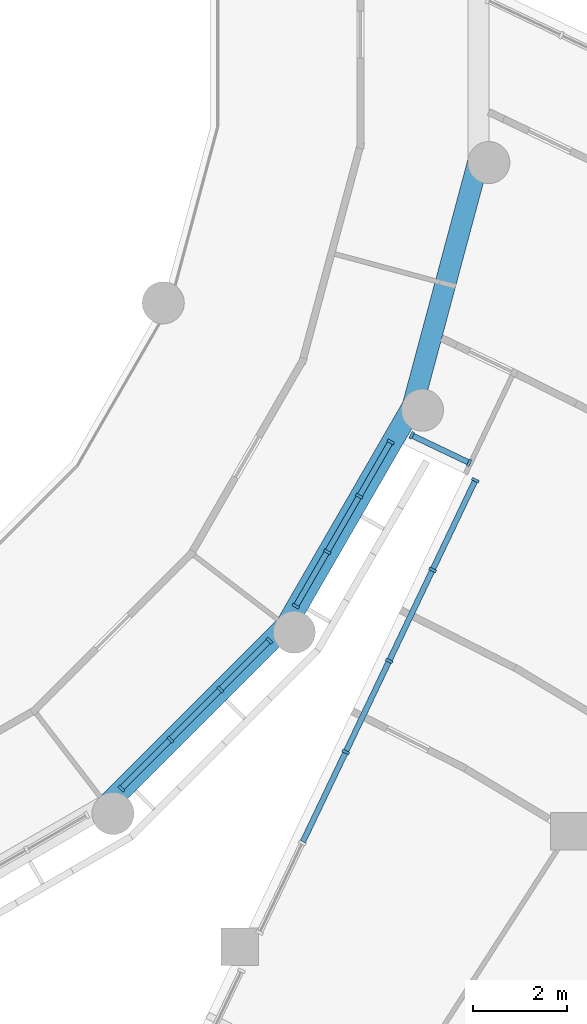
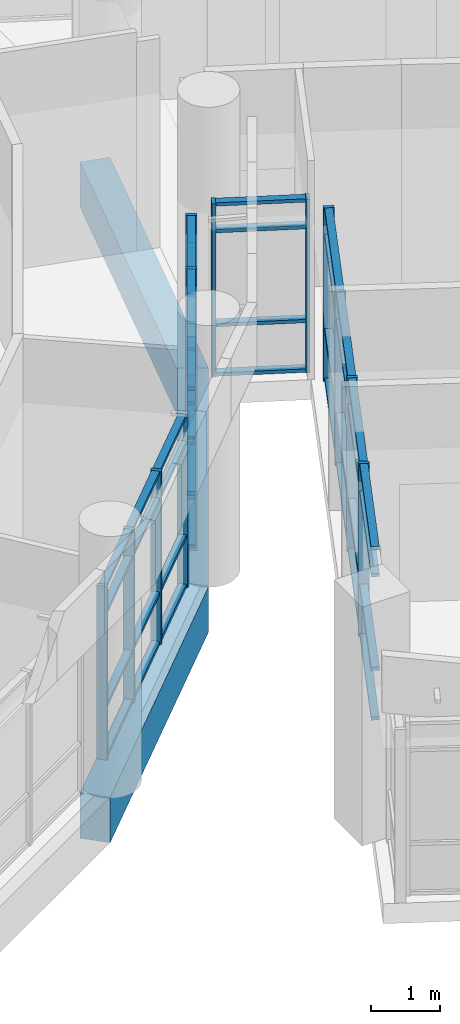
# One storey, part 14 of 109: 58 members, 3 beams, 4 elements without a shape of their own.
"""IFC4 building model written with IfcOpenShell, lengths in metres."""

from ifc_helpers import new_model, si_unit, direction, frame, origin, origin_2d, place, context, subcontext, project, spatial, rectangle, extrude, material, material_profile, profile_set, type_object, element, aggregate, save


model = new_model("IFC4")

# Units and contexts
model_context = context("Model", 3, precision=1e-05, world=origin(), true_north=direction((0.0, 1.0)))
body_context = subcontext(model_context, "Body", "Model", "MODEL_VIEW")
ifc_project = project(units=[si_unit("LENGTHUNIT", "METRE"), si_unit("AREAUNIT", "SQUARE_METRE"), si_unit("VOLUMEUNIT", "CUBIC_METRE"), si_unit("PLANEANGLEUNIT", "RADIAN"), si_unit("MASSUNIT", "GRAM", prefix="KILO")], contexts=[model_context])

# Site, building, storey
site_placement = place(None, origin())
site = spatial("IfcSite", under=ifc_project, at=site_placement, CompositionType="ELEMENT")
building_placement = place(site_placement, origin())
building = spatial("IfcBuilding", under=site, at=building_placement, Name="Bougainvillea Quay General Hospital", CompositionType="ELEMENT")
storey_placement = place(building_placement, frame((0.0, 0.0, 12.60009765625)))
storey = spatial("IfcBuildingStorey", under=building, at=storey_placement, Name="L02", CompositionType="ELEMENT", Elevation=12.60009765625)

# Curtain wall, members
ifc_material_1 = material(Name="Aluminium curtain wall system, powder-coated glazed", Category="aluminium")
curtain_wall_type_1 = type_object("IfcCurtainWallType", Name="Unitised curtain wall CW-1422", PredefinedType="NOTDEFINED", material=ifc_material_1)
curtain_wall_1_placement = place(storey_placement, origin())
curtain_wall_1 = element("IfcCurtainWall", 1, at=curtain_wall_1_placement, inside=storey, type_object=curtain_wall_type_1, Name="CW-AE 00", PredefinedType="NOTDEFINED")
ifc_material_2 = material(Name="Aluminium mullion, powder-coated charcoal", Category="aluminium")
ifc_material_profile_1 = material_profile(ifc_material_2, rectangle(XDim=0.159912109375, YDim=0.06005859375, at=origin_2d()))
ifc_profile_set_1 = profile_set([ifc_material_profile_1], Name="Aluminium mullion, powder-coated charcoal")
member_type_1 = type_object("IfcMemberType", Name="Curtain wall mullion 160x60", PredefinedType="MULLION", material=ifc_profile_set_1)
member_1_placement = place(storey_placement, frame((128.371826171875, 65.4267578125, 0.0), z_axis=(0.0, 0.0, 1.0), x_axis=(0.430534245195, 0.902574242771, 0.0)))
member_1 = element("IfcMember", 2, at=member_1_placement, type_object=member_type_1, Name="CW-AE mullion 1", PredefinedType="MULLION", context=body_context, shape_type="SweptSolid", body=[
    extrude(rectangle(XDim=0.159912109375, YDim=0.06005859375, at=origin_2d()), origin(), (0.0, 0.0, 1.0), 3.0498046875),
])
member_2_placement = place(storey_placement, frame((129.6005859375, 64.840576171875, 0.0), z_axis=(0.0, 0.0, 1.0), x_axis=(0.430534245195, 0.902574242771, 0.0)))
member_2 = element("IfcMember", 3, at=member_2_placement, type_object=member_type_1, Name="CW-AE mullion 2", PredefinedType="MULLION", context=body_context, shape_type="SweptSolid", body=[
    extrude(rectangle(XDim=0.159912109375, YDim=0.06005859375, at=origin_2d()), origin(), (0.0, 0.0, 1.0), 3.0498046875),
])

curtain_wall_type_2 = type_object("IfcCurtainWallType", Name="Unitised curtain wall CW-2157", PredefinedType="NOTDEFINED", material=ifc_material_1)
curtain_wall_2_placement = place(storey_placement, origin())
curtain_wall_2 = element("IfcCurtainWall", 4, at=curtain_wall_2_placement, inside=storey, type_object=curtain_wall_type_2, Name="CW-AE 00", PredefinedType="NOTDEFINED")
member_3_placement = place(storey_placement, frame((129.732666015625, 64.46728515625, 0.0), z_axis=(0.0, 0.0, 1.0), x_axis=(0.902576055431, -0.430530445105, 0.0)))
member_3 = element("IfcMember", 5, at=member_3_placement, type_object=member_type_1, Name="CW-AE mullion 1", PredefinedType="MULLION", context=body_context, shape_type="SweptSolid", body=[
    extrude(rectangle(XDim=0.159912109375, YDim=0.06005859375, at=origin_2d()), origin(), (0.0, 0.0, 1.0), 3.0498046875),
])
member_4_placement = place(storey_placement, frame((128.8173828125, 62.54833984375, 0.0), z_axis=(0.0, 0.0, 1.0), x_axis=(0.902576055431, -0.430530445105, 0.0)))
member_4 = element("IfcMember", 6, at=member_4_placement, type_object=member_type_1, Name="CW-AE mullion 2", PredefinedType="MULLION", context=body_context, shape_type="SweptSolid", body=[
    extrude(rectangle(XDim=0.159912109375, YDim=0.06005859375, at=origin_2d()), origin(), (0.0, 0.0, 1.0), 3.0498046875),
])
member_5_placement = place(storey_placement, frame((127.88916015625, 60.602294921875, 0.0), z_axis=(0.0, 0.0, 1.0), x_axis=(0.902576055431, -0.430530445105, 0.0)))
member_5 = element("IfcMember", 7, at=member_5_placement, type_object=member_type_1, Name="CW-AE mullion 3", PredefinedType="MULLION", context=body_context, shape_type="SweptSolid", body=[
    extrude(rectangle(XDim=0.159912109375, YDim=0.06005859375, at=origin_2d()), origin(), (0.0, 0.0, 1.0), 3.0498046875),
])
member_6_placement = place(storey_placement, frame((126.9609375, 58.656494140625, 0.0), z_axis=(0.0, 0.0, 1.0), x_axis=(0.902576055431, -0.430530445105, 0.0)))
member_6 = element("IfcMember", 8, at=member_6_placement, type_object=member_type_1, Name="CW-AE mullion 4", PredefinedType="MULLION", context=body_context, shape_type="SweptSolid", body=[
    extrude(rectangle(XDim=0.159912109375, YDim=0.06005859375, at=origin_2d()), origin(), (0.0, 0.0, 1.0), 3.0498046875),
])

curtain_wall_type_3 = type_object("IfcCurtainWallType", Name="Unitised curtain wall CW-1514", PredefinedType="NOTDEFINED", material=ifc_material_1)
curtain_wall_3_placement = place(storey_placement, origin())
curtain_wall_3 = element("IfcCurtainWall", 9, at=curtain_wall_3_placement, inside=storey, type_object=curtain_wall_type_3, Name="CW-D 00", PredefinedType="NOTDEFINED")
member_7_placement = place(storey_placement, frame((122.160888671875, 57.870361328125, 0.0), z_axis=(0.0, 0.0, 1.0), x_axis=(-0.707106781187, 0.707106781187, 0.0)))
member_7 = element("IfcMember", 10, at=member_7_placement, type_object=member_type_1, Name="CW-D mullion 1", PredefinedType="MULLION", context=body_context, shape_type="SweptSolid", body=[
    extrude(rectangle(XDim=0.159912109375, YDim=0.06005859375, at=origin_2d()), origin(), (0.0, 0.0, 1.0), 3.0498046875),
])
member_8_placement = place(storey_placement, frame((123.2099609375, 58.919677734375, 0.0), z_axis=(0.0, 0.0, 1.0), x_axis=(-0.707106781187, 0.707106781187, 0.0)))
member_8 = element("IfcMember", 11, at=member_8_placement, type_object=member_type_1, Name="CW-D mullion 2", PredefinedType="MULLION", context=body_context, shape_type="SweptSolid", body=[
    extrude(rectangle(XDim=0.159912109375, YDim=0.06005859375, at=origin_2d()), origin(), (0.0, 0.0, 1.0), 3.0498046875),
])
member_9_placement = place(storey_placement, frame((124.280517578125, 59.989990234375, 0.0), z_axis=(0.0, 0.0, 1.0), x_axis=(-0.707106781187, 0.707106781187, 0.0)))
member_9 = element("IfcMember", 12, at=member_9_placement, type_object=member_type_1, Name="CW-D mullion 3", PredefinedType="MULLION", context=body_context, shape_type="SweptSolid", body=[
    extrude(rectangle(XDim=0.159912109375, YDim=0.06005859375, at=origin_2d()), origin(), (0.0, 0.0, 1.0), 3.0498046875),
])
member_10_placement = place(storey_placement, frame((125.32958984375, 61.039306640625, 0.0), z_axis=(0.0, 0.0, 1.0), x_axis=(-0.707106781187, 0.707106781187, 0.0)))
member_10 = element("IfcMember", 13, at=member_10_placement, type_object=member_type_1, Name="CW-D mullion 4", PredefinedType="MULLION", context=body_context, shape_type="SweptSolid", body=[
    extrude(rectangle(XDim=0.159912109375, YDim=0.06005859375, at=origin_2d()), origin(), (0.0, 0.0, 1.0), 3.0498046875),
])

curtain_wall_type_4 = type_object("IfcCurtainWallType", Name="Unitised curtain wall CW-1373", PredefinedType="NOTDEFINED", material=ifc_material_1)
curtain_wall_4_placement = place(storey_placement, origin())
curtain_wall_4 = element("IfcCurtainWall", 14, at=curtain_wall_4_placement, inside=storey, type_object=curtain_wall_type_4, Name="CW-D 00", PredefinedType="NOTDEFINED")
member_11_placement = place(storey_placement, frame((125.8935546875, 61.77392578125, 0.0), z_axis=(0.0, 0.0, 1.0), x_axis=(-0.866047615473, 0.499961526253, 0.0)))
member_11 = element("IfcMember", 15, at=member_11_placement, type_object=member_type_1, Name="CW-D mullion 1", PredefinedType="MULLION", context=body_context, shape_type="SweptSolid", body=[
    extrude(rectangle(XDim=0.159912109375, YDim=0.06005859375, at=origin_2d()), origin(), (0.0, 0.0, 1.0), 3.0498046875),
])
member_12_placement = place(storey_placement, frame((126.564453125, 62.936279296875, 0.0), z_axis=(0.0, 0.0, 1.0), x_axis=(-0.866047615473, 0.499961526253, 0.0)))
member_12 = element("IfcMember", 16, at=member_12_placement, type_object=member_type_1, Name="CW-D mullion 2", PredefinedType="MULLION", context=body_context, shape_type="SweptSolid", body=[
    extrude(rectangle(XDim=0.159912109375, YDim=0.06005859375, at=origin_2d()), origin(), (0.0, 0.0, 1.0), 3.0498046875),
])
member_13_placement = place(storey_placement, frame((127.25048828125, 64.124755859375, 0.0), z_axis=(0.0, 0.0, 1.0), x_axis=(-0.866047615473, 0.499961526253, 0.0)))
member_13 = element("IfcMember", 17, at=member_13_placement, type_object=member_type_1, Name="CW-D mullion 3", PredefinedType="MULLION", context=body_context, shape_type="SweptSolid", body=[
    extrude(rectangle(XDim=0.159912109375, YDim=0.06005859375, at=origin_2d()), origin(), (0.0, 0.0, 1.0), 3.0498046875),
])
member_14_placement = place(storey_placement, frame((127.92138671875, 65.287109375, 0.0), z_axis=(0.0, 0.0, 1.0), x_axis=(-0.866047615473, 0.499961526253, 0.0)))
member_14 = element("IfcMember", 18, at=member_14_placement, type_object=member_type_1, Name="CW-D mullion 4", PredefinedType="MULLION", context=body_context, shape_type="SweptSolid", body=[
    extrude(rectangle(XDim=0.159912109375, YDim=0.06005859375, at=origin_2d()), origin(), (0.0, 0.0, 1.0), 3.0498046875),
])

# Member
ifc_material_3 = material(Name="Aluminium transom, powder-coated charcoal", Category="aluminium")
ifc_material_profile_2 = material_profile(ifc_material_3, rectangle(XDim=0.1201171875, YDim=0.06005859375, at=origin_2d()))
ifc_profile_set_2 = profile_set([ifc_material_profile_2], Name="Aluminium transom, powder-coated charcoal")
member_type_2 = type_object("IfcMemberType", Name="Curtain wall transom 120x60", PredefinedType="USERDEFINED", material=ifc_profile_set_2)
member_15_placement = place(storey_placement, frame((128.398681640625, 65.413818359375, 0.02978515625), z_axis=(0.902600317452, -0.430479577837, 0.0), x_axis=(0.430479577837, 0.902600317452, 0.0)))
member_15 = element("IfcMember", 19, at=member_15_placement, type_object=member_type_2, Name="CW-AE transom 1.1", ObjectType="TRANSOM", PredefinedType="USERDEFINED", context=body_context, shape_type="SweptSolid", body=[
    extrude(rectangle(XDim=0.1201171875, YDim=0.06005859375, at=origin_2d()), origin(), (0.0, 0.0, 1.0), 1.301513671875),
])

member_16_placement = place(storey_placement, frame((128.398681640625, 65.413818359375, 0.89990234375), z_axis=(0.902600317452, -0.430479577837, 0.0), x_axis=(0.430479577837, 0.902600317452, 0.0)))
member_16 = element("IfcMember", 20, at=member_16_placement, type_object=member_type_2, Name="CW-AE transom 1.2", ObjectType="TRANSOM", PredefinedType="USERDEFINED", context=body_context, shape_type="SweptSolid", body=[
    extrude(rectangle(XDim=0.1201171875, YDim=0.06005859375, at=origin_2d()), origin(), (0.0, 0.0, 1.0), 1.301513671875),
])

member_17_placement = place(storey_placement, frame((128.398681640625, 65.413818359375, 2.5498046875), z_axis=(0.902600317452, -0.430479577837, 0.0), x_axis=(0.430479577837, 0.902600317452, 0.0)))
member_17 = element("IfcMember", 21, at=member_17_placement, type_object=member_type_2, Name="CW-AE transom 1.3", ObjectType="TRANSOM", PredefinedType="USERDEFINED", context=body_context, shape_type="SweptSolid", body=[
    extrude(rectangle(XDim=0.1201171875, YDim=0.06005859375, at=origin_2d()), origin(), (0.0, 0.0, 1.0), 1.301513671875),
])

member_18_placement = place(storey_placement, frame((128.398681640625, 65.413818359375, 3.02001953125), z_axis=(0.902600317452, -0.430479577837, 0.0), x_axis=(0.430479577837, 0.902600317452, 0.0)))
member_18 = element("IfcMember", 22, at=member_18_placement, type_object=member_type_2, Name="CW-AE transom 1.4", ObjectType="TRANSOM", PredefinedType="USERDEFINED", context=body_context, shape_type="SweptSolid", body=[
    extrude(rectangle(XDim=0.1201171875, YDim=0.06005859375, at=origin_2d()), origin(), (0.0, 0.0, 1.0), 1.301513671875),
])

aggregate(curtain_wall_1, [member_1, member_2, member_15, member_16, member_17, member_18])

member_19_placement = place(storey_placement, frame((129.7197265625, 64.440185546875, 0.02978515625), z_axis=(-0.430497703886, -0.902591672324, 0.0), x_axis=(0.902591672324, -0.430497703886, 0.0)))
member_19 = element("IfcMember", 23, at=member_19_placement, type_object=member_type_2, Name="CW-AE transom 1.1", ObjectType="TRANSOM", PredefinedType="USERDEFINED", context=body_context, shape_type="SweptSolid", body=[
    extrude(rectangle(XDim=0.1201171875, YDim=0.06005859375, at=origin_2d()), origin(), (0.0, 0.0, 1.0), 2.06591796875),
])

member_20_placement = place(storey_placement, frame((129.7197265625, 64.440185546875, 0.89990234375), z_axis=(-0.430497703886, -0.902591672324, 0.0), x_axis=(0.902591672324, -0.430497703886, 0.0)))
member_20 = element("IfcMember", 24, at=member_20_placement, type_object=member_type_2, Name="CW-AE transom 1.2", ObjectType="TRANSOM", PredefinedType="USERDEFINED", context=body_context, shape_type="SweptSolid", body=[
    extrude(rectangle(XDim=0.1201171875, YDim=0.06005859375, at=origin_2d()), origin(), (0.0, 0.0, 1.0), 2.06591796875),
])

member_21_placement = place(storey_placement, frame((129.7197265625, 64.440185546875, 2.5498046875), z_axis=(-0.430497703886, -0.902591672324, 0.0), x_axis=(0.902591672324, -0.430497703886, 0.0)))
member_21 = element("IfcMember", 25, at=member_21_placement, type_object=member_type_2, Name="CW-AE transom 1.3", ObjectType="TRANSOM", PredefinedType="USERDEFINED", context=body_context, shape_type="SweptSolid", body=[
    extrude(rectangle(XDim=0.1201171875, YDim=0.06005859375, at=origin_2d()), origin(), (0.0, 0.0, 1.0), 2.06591796875),
])

member_22_placement = place(storey_placement, frame((129.7197265625, 64.440185546875, 3.02001953125), z_axis=(-0.430497703886, -0.902591672324, 0.0), x_axis=(0.902591672324, -0.430497703886, 0.0)))
member_22 = element("IfcMember", 26, at=member_22_placement, type_object=member_type_2, Name="CW-AE transom 1.4", ObjectType="TRANSOM", PredefinedType="USERDEFINED", context=body_context, shape_type="SweptSolid", body=[
    extrude(rectangle(XDim=0.1201171875, YDim=0.06005859375, at=origin_2d()), origin(), (0.0, 0.0, 1.0), 2.06591796875),
])

member_23_placement = place(storey_placement, frame((128.804443359375, 62.521240234375, 0.02978515625), z_axis=(-0.430503182684, -0.902589059151, 0.0), x_axis=(0.902589059151, -0.430503182684, 0.0)))
member_23 = element("IfcMember", 27, at=member_23_placement, type_object=member_type_2, Name="CW-AE transom 2.1", ObjectType="TRANSOM", PredefinedType="USERDEFINED", context=body_context, shape_type="SweptSolid", body=[
    extrude(rectangle(XDim=0.1201171875, YDim=0.06005859375, at=origin_2d()), origin(), (0.0, 0.0, 1.0), 2.095947265625),
])

member_24_placement = place(storey_placement, frame((128.804443359375, 62.521240234375, 0.89990234375), z_axis=(-0.430503182684, -0.902589059151, 0.0), x_axis=(0.902589059151, -0.430503182684, 0.0)))
member_24 = element("IfcMember", 28, at=member_24_placement, type_object=member_type_2, Name="CW-AE transom 2.2", ObjectType="TRANSOM", PredefinedType="USERDEFINED", context=body_context, shape_type="SweptSolid", body=[
    extrude(rectangle(XDim=0.1201171875, YDim=0.06005859375, at=origin_2d()), origin(), (0.0, 0.0, 1.0), 2.095947265625),
])

member_25_placement = place(storey_placement, frame((128.804443359375, 62.521240234375, 2.5498046875), z_axis=(-0.430503182684, -0.902589059151, 0.0), x_axis=(0.902589059151, -0.430503182684, 0.0)))
member_25 = element("IfcMember", 29, at=member_25_placement, type_object=member_type_2, Name="CW-AE transom 2.3", ObjectType="TRANSOM", PredefinedType="USERDEFINED", context=body_context, shape_type="SweptSolid", body=[
    extrude(rectangle(XDim=0.1201171875, YDim=0.06005859375, at=origin_2d()), origin(), (0.0, 0.0, 1.0), 2.095947265625),
])

member_26_placement = place(storey_placement, frame((128.804443359375, 62.521240234375, 3.02001953125), z_axis=(-0.430503182684, -0.902589059151, 0.0), x_axis=(0.902589059151, -0.430503182684, 0.0)))
member_26 = element("IfcMember", 30, at=member_26_placement, type_object=member_type_2, Name="CW-AE transom 2.4", ObjectType="TRANSOM", PredefinedType="USERDEFINED", context=body_context, shape_type="SweptSolid", body=[
    extrude(rectangle(XDim=0.1201171875, YDim=0.06005859375, at=origin_2d()), origin(), (0.0, 0.0, 1.0), 2.095947265625),
])

member_27_placement = place(storey_placement, frame((127.876220703125, 60.575439453125, 0.02978515625), z_axis=(-0.430503182684, -0.902589059151, 0.0), x_axis=(0.902589059151, -0.430503182684, 0.0)))
member_27 = element("IfcMember", 31, at=member_27_placement, type_object=member_type_2, Name="CW-AE transom 3.1", ObjectType="TRANSOM", PredefinedType="USERDEFINED", context=body_context, shape_type="SweptSolid", body=[
    extrude(rectangle(XDim=0.1201171875, YDim=0.06005859375, at=origin_2d()), origin(), (0.0, 0.0, 1.0), 2.095947265625),
])

member_28_placement = place(storey_placement, frame((127.876220703125, 60.575439453125, 0.89990234375), z_axis=(-0.430503182684, -0.902589059151, 0.0), x_axis=(0.902589059151, -0.430503182684, 0.0)))
member_28 = element("IfcMember", 32, at=member_28_placement, type_object=member_type_2, Name="CW-AE transom 3.2", ObjectType="TRANSOM", PredefinedType="USERDEFINED", context=body_context, shape_type="SweptSolid", body=[
    extrude(rectangle(XDim=0.1201171875, YDim=0.06005859375, at=origin_2d()), origin(), (0.0, 0.0, 1.0), 2.095947265625),
])

member_29_placement = place(storey_placement, frame((127.876220703125, 60.575439453125, 2.5498046875), z_axis=(-0.430503182684, -0.902589059151, 0.0), x_axis=(0.902589059151, -0.430503182684, 0.0)))
member_29 = element("IfcMember", 33, at=member_29_placement, type_object=member_type_2, Name="CW-AE transom 3.3", ObjectType="TRANSOM", PredefinedType="USERDEFINED", context=body_context, shape_type="SweptSolid", body=[
    extrude(rectangle(XDim=0.1201171875, YDim=0.06005859375, at=origin_2d()), origin(), (0.0, 0.0, 1.0), 2.095947265625),
])

member_30_placement = place(storey_placement, frame((127.876220703125, 60.575439453125, 3.02001953125), z_axis=(-0.430503182684, -0.902589059151, 0.0), x_axis=(0.902589059151, -0.430503182684, 0.0)))
member_30 = element("IfcMember", 34, at=member_30_placement, type_object=member_type_2, Name="CW-AE transom 3.4", ObjectType="TRANSOM", PredefinedType="USERDEFINED", context=body_context, shape_type="SweptSolid", body=[
    extrude(rectangle(XDim=0.1201171875, YDim=0.06005859375, at=origin_2d()), origin(), (0.0, 0.0, 1.0), 2.095947265625),
])

member_31_placement = place(storey_placement, frame((126.947998046875, 58.62939453125, 0.02978515625), z_axis=(-0.430503182684, -0.902589059151, 0.0), x_axis=(0.902589059151, -0.430503182684, 0.0)))
member_31 = element("IfcMember", 35, at=member_31_placement, type_object=member_type_2, Name="CW-AE transom 4.1", ObjectType="TRANSOM", PredefinedType="USERDEFINED", context=body_context, shape_type="SweptSolid", body=[
    extrude(rectangle(XDim=0.1201171875, YDim=0.06005859375, at=origin_2d()), origin(), (0.0, 0.0, 1.0), 2.095947265625),
])

member_32_placement = place(storey_placement, frame((126.947998046875, 58.62939453125, 0.89990234375), z_axis=(-0.430503182684, -0.902589059151, 0.0), x_axis=(0.902589059151, -0.430503182684, 0.0)))
member_32 = element("IfcMember", 36, at=member_32_placement, type_object=member_type_2, Name="CW-AE transom 4.2", ObjectType="TRANSOM", PredefinedType="USERDEFINED", context=body_context, shape_type="SweptSolid", body=[
    extrude(rectangle(XDim=0.1201171875, YDim=0.06005859375, at=origin_2d()), origin(), (0.0, 0.0, 1.0), 2.095947265625),
])

member_33_placement = place(storey_placement, frame((126.947998046875, 58.62939453125, 2.5498046875), z_axis=(-0.430503182684, -0.902589059151, 0.0), x_axis=(0.902589059151, -0.430503182684, 0.0)))
member_33 = element("IfcMember", 37, at=member_33_placement, type_object=member_type_2, Name="CW-AE transom 4.3", ObjectType="TRANSOM", PredefinedType="USERDEFINED", context=body_context, shape_type="SweptSolid", body=[
    extrude(rectangle(XDim=0.1201171875, YDim=0.06005859375, at=origin_2d()), origin(), (0.0, 0.0, 1.0), 2.095947265625),
])

member_34_placement = place(storey_placement, frame((126.947998046875, 58.62939453125, 3.02001953125), z_axis=(-0.430503182684, -0.902589059151, 0.0), x_axis=(0.902589059151, -0.430503182684, 0.0)))
member_34 = element("IfcMember", 38, at=member_34_placement, type_object=member_type_2, Name="CW-AE transom 4.4", ObjectType="TRANSOM", PredefinedType="USERDEFINED", context=body_context, shape_type="SweptSolid", body=[
    extrude(rectangle(XDim=0.1201171875, YDim=0.06005859375, at=origin_2d()), origin(), (0.0, 0.0, 1.0), 2.095947265625),
])

aggregate(curtain_wall_2, [member_3, member_4, member_5, member_6, member_19, member_20, member_21, member_22, member_23, member_24, member_25, member_26, member_27, member_28, member_29, member_30, member_31, member_32, member_33, member_34])

member_35_placement = place(storey_placement, frame((122.181884765625, 57.8916015625, 0.02978515625), z_axis=(0.707106781187, 0.707106781187, 0.0), x_axis=(-0.707106781187, 0.707106781187, 0.0)))
member_35 = element("IfcMember", 39, at=member_35_placement, type_object=member_type_2, Name="CW-D transom 1.1", ObjectType="TRANSOM", PredefinedType="USERDEFINED", context=body_context, shape_type="SweptSolid", body=[
    extrude(rectangle(XDim=0.1201171875, YDim=0.06005859375, at=origin_2d()), origin(), (0.0, 0.0, 1.0), 1.423828125),
])

member_36_placement = place(storey_placement, frame((122.181884765625, 57.8916015625, 0.89990234375), z_axis=(0.707106781187, 0.707106781187, 0.0), x_axis=(-0.707106781187, 0.707106781187, 0.0)))
member_36 = element("IfcMember", 40, at=member_36_placement, type_object=member_type_2, Name="CW-D transom 1.2", ObjectType="TRANSOM", PredefinedType="USERDEFINED", context=body_context, shape_type="SweptSolid", body=[
    extrude(rectangle(XDim=0.1201171875, YDim=0.06005859375, at=origin_2d()), origin(), (0.0, 0.0, 1.0), 1.423828125),
])

member_37_placement = place(storey_placement, frame((122.181884765625, 57.8916015625, 2.5498046875), z_axis=(0.707106781187, 0.707106781187, 0.0), x_axis=(-0.707106781187, 0.707106781187, 0.0)))
member_37 = element("IfcMember", 41, at=member_37_placement, type_object=member_type_2, Name="CW-D transom 1.3", ObjectType="TRANSOM", PredefinedType="USERDEFINED", context=body_context, shape_type="SweptSolid", body=[
    extrude(rectangle(XDim=0.1201171875, YDim=0.06005859375, at=origin_2d()), origin(), (0.0, 0.0, 1.0), 1.423828125),
])

member_38_placement = place(storey_placement, frame((122.181884765625, 57.8916015625, 3.02001953125), z_axis=(0.707106781187, 0.707106781187, 0.0), x_axis=(-0.707106781187, 0.707106781187, 0.0)))
member_38 = element("IfcMember", 42, at=member_38_placement, type_object=member_type_2, Name="CW-D transom 1.4", ObjectType="TRANSOM", PredefinedType="USERDEFINED", context=body_context, shape_type="SweptSolid", body=[
    extrude(rectangle(XDim=0.1201171875, YDim=0.06005859375, at=origin_2d()), origin(), (0.0, 0.0, 1.0), 1.423828125),
])

member_39_placement = place(storey_placement, frame((123.231201171875, 58.940673828125, 0.02978515625), z_axis=(0.707106781187, 0.707106781187, 0.0), x_axis=(-0.707106781187, 0.707106781187, 0.0)))
member_39 = element("IfcMember", 43, at=member_39_placement, type_object=member_type_2, Name="CW-D transom 2.1", ObjectType="TRANSOM", PredefinedType="USERDEFINED", context=body_context, shape_type="SweptSolid", body=[
    extrude(rectangle(XDim=0.1201171875, YDim=0.06005859375, at=origin_2d()), origin(), (0.0, 0.0, 1.0), 1.453857421875),
])

member_40_placement = place(storey_placement, frame((123.231201171875, 58.940673828125, 0.89990234375), z_axis=(0.707106781187, 0.707106781187, 0.0), x_axis=(-0.707106781187, 0.707106781187, 0.0)))
member_40 = element("IfcMember", 44, at=member_40_placement, type_object=member_type_2, Name="CW-D transom 2.2", ObjectType="TRANSOM", PredefinedType="USERDEFINED", context=body_context, shape_type="SweptSolid", body=[
    extrude(rectangle(XDim=0.1201171875, YDim=0.06005859375, at=origin_2d()), origin(), (0.0, 0.0, 1.0), 1.453857421875),
])

member_41_placement = place(storey_placement, frame((123.231201171875, 58.940673828125, 2.5498046875), z_axis=(0.707106781187, 0.707106781187, 0.0), x_axis=(-0.707106781187, 0.707106781187, 0.0)))
member_41 = element("IfcMember", 45, at=member_41_placement, type_object=member_type_2, Name="CW-D transom 2.3", ObjectType="TRANSOM", PredefinedType="USERDEFINED", context=body_context, shape_type="SweptSolid", body=[
    extrude(rectangle(XDim=0.1201171875, YDim=0.06005859375, at=origin_2d()), origin(), (0.0, 0.0, 1.0), 1.453857421875),
])

member_42_placement = place(storey_placement, frame((123.231201171875, 58.940673828125, 3.02001953125), z_axis=(0.707106781187, 0.707106781187, 0.0), x_axis=(-0.707106781187, 0.707106781187, 0.0)))
member_42 = element("IfcMember", 46, at=member_42_placement, type_object=member_type_2, Name="CW-D transom 2.4", ObjectType="TRANSOM", PredefinedType="USERDEFINED", context=body_context, shape_type="SweptSolid", body=[
    extrude(rectangle(XDim=0.1201171875, YDim=0.06005859375, at=origin_2d()), origin(), (0.0, 0.0, 1.0), 1.453857421875),
])

member_43_placement = place(storey_placement, frame((124.3017578125, 60.01123046875, 0.02978515625), z_axis=(0.707021034897, 0.707192517079, 0.0), x_axis=(-0.707192517079, 0.707021034897, 0.0)))
member_43 = element("IfcMember", 47, at=member_43_placement, type_object=member_type_2, Name="CW-D transom 3.1", ObjectType="TRANSOM", PredefinedType="USERDEFINED", context=body_context, shape_type="SweptSolid", body=[
    extrude(rectangle(XDim=0.1201171875, YDim=0.06005859375, at=origin_2d()), origin(), (0.0, 0.0, 1.0), 1.423828125),
])

member_44_placement = place(storey_placement, frame((124.3017578125, 60.01123046875, 0.89990234375), z_axis=(0.707021034897, 0.707192517079, 0.0), x_axis=(-0.707192517079, 0.707021034897, 0.0)))
member_44 = element("IfcMember", 48, at=member_44_placement, type_object=member_type_2, Name="CW-D transom 3.2", ObjectType="TRANSOM", PredefinedType="USERDEFINED", context=body_context, shape_type="SweptSolid", body=[
    extrude(rectangle(XDim=0.1201171875, YDim=0.06005859375, at=origin_2d()), origin(), (0.0, 0.0, 1.0), 1.423828125),
])

member_45_placement = place(storey_placement, frame((124.3017578125, 60.01123046875, 2.5498046875), z_axis=(0.707021034897, 0.707192517079, 0.0), x_axis=(-0.707192517079, 0.707021034897, 0.0)))
member_45 = element("IfcMember", 49, at=member_45_placement, type_object=member_type_2, Name="CW-D transom 3.3", ObjectType="TRANSOM", PredefinedType="USERDEFINED", context=body_context, shape_type="SweptSolid", body=[
    extrude(rectangle(XDim=0.1201171875, YDim=0.06005859375, at=origin_2d()), origin(), (0.0, 0.0, 1.0), 1.423828125),
])

member_46_placement = place(storey_placement, frame((124.3017578125, 60.01123046875, 3.02001953125), z_axis=(0.707021034897, 0.707192517079, 0.0), x_axis=(-0.707192517079, 0.707021034897, 0.0)))
member_46 = element("IfcMember", 50, at=member_46_placement, type_object=member_type_2, Name="CW-D transom 3.4", ObjectType="TRANSOM", PredefinedType="USERDEFINED", context=body_context, shape_type="SweptSolid", body=[
    extrude(rectangle(XDim=0.1201171875, YDim=0.06005859375, at=origin_2d()), origin(), (0.0, 0.0, 1.0), 1.423828125),
])

aggregate(curtain_wall_3, [member_7, member_8, member_9, member_10, member_35, member_36, member_37, member_38, member_39, member_40, member_41, member_42, member_43, member_44, member_45, member_46])

member_47_placement = place(storey_placement, frame((125.908447265625, 61.800048828125, 0.02978515625), z_axis=(0.500030129425, 0.866008007854, 0.0), x_axis=(-0.866008007854, 0.500030129425, 0.0)))
member_47 = element("IfcMember", 51, at=member_47_placement, type_object=member_type_2, Name="CW-D transom 1.1", ObjectType="TRANSOM", PredefinedType="USERDEFINED", context=body_context, shape_type="SweptSolid", body=[
    extrude(rectangle(XDim=0.1201171875, YDim=0.06005859375, at=origin_2d()), origin(), (0.0, 0.0, 1.0), 1.2822265625),
])

member_48_placement = place(storey_placement, frame((125.908447265625, 61.800048828125, 0.89990234375), z_axis=(0.500030129425, 0.866008007854, 0.0), x_axis=(-0.866008007854, 0.500030129425, 0.0)))
member_48 = element("IfcMember", 52, at=member_48_placement, type_object=member_type_2, Name="CW-D transom 1.2", ObjectType="TRANSOM", PredefinedType="USERDEFINED", context=body_context, shape_type="SweptSolid", body=[
    extrude(rectangle(XDim=0.1201171875, YDim=0.06005859375, at=origin_2d()), origin(), (0.0, 0.0, 1.0), 1.2822265625),
])

member_49_placement = place(storey_placement, frame((125.908447265625, 61.800048828125, 2.5498046875), z_axis=(0.500030129425, 0.866008007854, 0.0), x_axis=(-0.866008007854, 0.500030129425, 0.0)))
member_49 = element("IfcMember", 53, at=member_49_placement, type_object=member_type_2, Name="CW-D transom 1.3", ObjectType="TRANSOM", PredefinedType="USERDEFINED", context=body_context, shape_type="SweptSolid", body=[
    extrude(rectangle(XDim=0.1201171875, YDim=0.06005859375, at=origin_2d()), origin(), (0.0, 0.0, 1.0), 1.2822265625),
])

member_50_placement = place(storey_placement, frame((125.908447265625, 61.800048828125, 3.02001953125), z_axis=(0.500030129425, 0.866008007854, 0.0), x_axis=(-0.866008007854, 0.500030129425, 0.0)))
member_50 = element("IfcMember", 54, at=member_50_placement, type_object=member_type_2, Name="CW-D transom 1.4", ObjectType="TRANSOM", PredefinedType="USERDEFINED", context=body_context, shape_type="SweptSolid", body=[
    extrude(rectangle(XDim=0.1201171875, YDim=0.06005859375, at=origin_2d()), origin(), (0.0, 0.0, 1.0), 1.2822265625),
])

member_51_placement = place(storey_placement, frame((126.57958984375, 62.96240234375, 0.02978515625), z_axis=(0.500001653409, 0.866024449186, 0.0), x_axis=(-0.866024449186, 0.500001653409, 0.0)))
member_51 = element("IfcMember", 55, at=member_51_placement, type_object=member_type_2, Name="CW-D transom 2.1", ObjectType="TRANSOM", PredefinedType="USERDEFINED", context=body_context, shape_type="SweptSolid", body=[
    extrude(rectangle(XDim=0.1201171875, YDim=0.06005859375, at=origin_2d()), origin(), (0.0, 0.0, 1.0), 1.31201171875),
])

member_52_placement = place(storey_placement, frame((126.57958984375, 62.96240234375, 0.89990234375), z_axis=(0.500001653409, 0.866024449186, 0.0), x_axis=(-0.866024449186, 0.500001653409, 0.0)))
member_52 = element("IfcMember", 56, at=member_52_placement, type_object=member_type_2, Name="CW-D transom 2.2", ObjectType="TRANSOM", PredefinedType="USERDEFINED", context=body_context, shape_type="SweptSolid", body=[
    extrude(rectangle(XDim=0.1201171875, YDim=0.06005859375, at=origin_2d()), origin(), (0.0, 0.0, 1.0), 1.31201171875),
])

member_53_placement = place(storey_placement, frame((126.57958984375, 62.96240234375, 2.5498046875), z_axis=(0.500001653409, 0.866024449186, 0.0), x_axis=(-0.866024449186, 0.500001653409, 0.0)))
member_53 = element("IfcMember", 57, at=member_53_placement, type_object=member_type_2, Name="CW-D transom 2.3", ObjectType="TRANSOM", PredefinedType="USERDEFINED", context=body_context, shape_type="SweptSolid", body=[
    extrude(rectangle(XDim=0.1201171875, YDim=0.06005859375, at=origin_2d()), origin(), (0.0, 0.0, 1.0), 1.31201171875),
])

member_54_placement = place(storey_placement, frame((126.57958984375, 62.96240234375, 3.02001953125), z_axis=(0.500001653409, 0.866024449186, 0.0), x_axis=(-0.866024449186, 0.500001653409, 0.0)))
member_54 = element("IfcMember", 58, at=member_54_placement, type_object=member_type_2, Name="CW-D transom 2.4", ObjectType="TRANSOM", PredefinedType="USERDEFINED", context=body_context, shape_type="SweptSolid", body=[
    extrude(rectangle(XDim=0.1201171875, YDim=0.06005859375, at=origin_2d()), origin(), (0.0, 0.0, 1.0), 1.31201171875),
])

member_55_placement = place(storey_placement, frame((127.265380859375, 64.150634765625, 0.02978515625), z_axis=(0.500030129425, 0.866008007854, 0.0), x_axis=(-0.866008007854, 0.500030129425, 0.0)))
member_55 = element("IfcMember", 59, at=member_55_placement, type_object=member_type_2, Name="CW-D transom 3.1", ObjectType="TRANSOM", PredefinedType="USERDEFINED", context=body_context, shape_type="SweptSolid", body=[
    extrude(rectangle(XDim=0.1201171875, YDim=0.06005859375, at=origin_2d()), origin(), (0.0, 0.0, 1.0), 1.2822265625),
])

member_56_placement = place(storey_placement, frame((127.265380859375, 64.150634765625, 0.89990234375), z_axis=(0.500030129425, 0.866008007854, 0.0), x_axis=(-0.866008007854, 0.500030129425, 0.0)))
member_56 = element("IfcMember", 60, at=member_56_placement, type_object=member_type_2, Name="CW-D transom 3.2", ObjectType="TRANSOM", PredefinedType="USERDEFINED", context=body_context, shape_type="SweptSolid", body=[
    extrude(rectangle(XDim=0.1201171875, YDim=0.06005859375, at=origin_2d()), origin(), (0.0, 0.0, 1.0), 1.2822265625),
])

member_57_placement = place(storey_placement, frame((127.265380859375, 64.150634765625, 2.5498046875), z_axis=(0.500030129425, 0.866008007854, 0.0), x_axis=(-0.866008007854, 0.500030129425, 0.0)))
member_57 = element("IfcMember", 61, at=member_57_placement, type_object=member_type_2, Name="CW-D transom 3.3", ObjectType="TRANSOM", PredefinedType="USERDEFINED", context=body_context, shape_type="SweptSolid", body=[
    extrude(rectangle(XDim=0.1201171875, YDim=0.06005859375, at=origin_2d()), origin(), (0.0, 0.0, 1.0), 1.2822265625),
])

member_58_placement = place(storey_placement, frame((127.265380859375, 64.150634765625, 3.02001953125), z_axis=(0.500030129425, 0.866008007854, 0.0), x_axis=(-0.866008007854, 0.500030129425, 0.0)))
member_58 = element("IfcMember", 62, at=member_58_placement, type_object=member_type_2, Name="CW-D transom 3.4", ObjectType="TRANSOM", PredefinedType="USERDEFINED", context=body_context, shape_type="SweptSolid", body=[
    extrude(rectangle(XDim=0.1201171875, YDim=0.06005859375, at=origin_2d()), origin(), (0.0, 0.0, 1.0), 1.2822265625),
])

aggregate(curtain_wall_4, [member_11, member_12, member_13, member_14, member_47, member_48, member_49, member_50, member_51, member_52, member_53, member_54, member_55, member_56, member_57, member_58])

# Beams
ifc_material_4 = material(Name="Concrete C40", Category="concrete")
ifc_material_profile_3 = material_profile(ifc_material_4, rectangle(XDim=0.449951171875, YDim=0.800048828125, at=origin_2d()))
ifc_profile_set_3 = profile_set([ifc_material_profile_3], Name="Concrete C40")
beam_type = type_object("IfcBeamType", Name="RC BEAM 450x800 C40", PredefinedType="BEAM", material=ifc_profile_set_3)
beam_1_placement = place(storey_placement, frame((121.824951171875, 57.4990234375, -0.7001953125), z_axis=(0.707106781187, 0.707106781187, 0.0), x_axis=(-0.707106781187, 0.707106781187, 0.0)))
element("IfcBeam", 63, at=beam_1_placement, inside=storey, type_object=beam_type, Name="Edge beam L02", PredefinedType="BEAM", context=body_context, shape_type="SweptSolid", body=[
    extrude(rectangle(XDim=0.449951171875, YDim=0.800048828125, at=origin_2d()), origin(), (0.0, 0.0, 1.0), 5.4814453125),
])
beam_2_placement = place(storey_placement, frame((125.6650390625, 61.32861328125, -0.7001953125), z_axis=(0.500008994894, 0.866020210518, 0.0), x_axis=(-0.866020210518, 0.500008994894, 0.0)))
element("IfcBeam", 64, at=beam_2_placement, inside=storey, type_object=beam_type, Name="Edge beam L02", PredefinedType="BEAM", context=body_context, shape_type="SweptSolid", body=[
    extrude(rectangle(XDim=0.449951171875, YDim=0.800048828125, at=origin_2d()), origin(), (0.0, 0.0, 1.0), 5.482421875),
])
beam_3_placement = place(storey_placement, frame((128.3837890625, 66.022216796875, -0.7001953125), z_axis=(0.258848876884, 0.965917832393, 0.0), x_axis=(-0.965917832393, 0.258848876884, 0.0)))
element("IfcBeam", 65, at=beam_3_placement, inside=storey, type_object=beam_type, Name="Edge beam L02", PredefinedType="BEAM", context=body_context, shape_type="SweptSolid", body=[
    extrude(rectangle(XDim=0.449951171875, YDim=0.800048828125, at=origin_2d()), origin(), (0.0, 0.0, 1.0), 5.481689453125),
])

save(model, "model.ifc")
